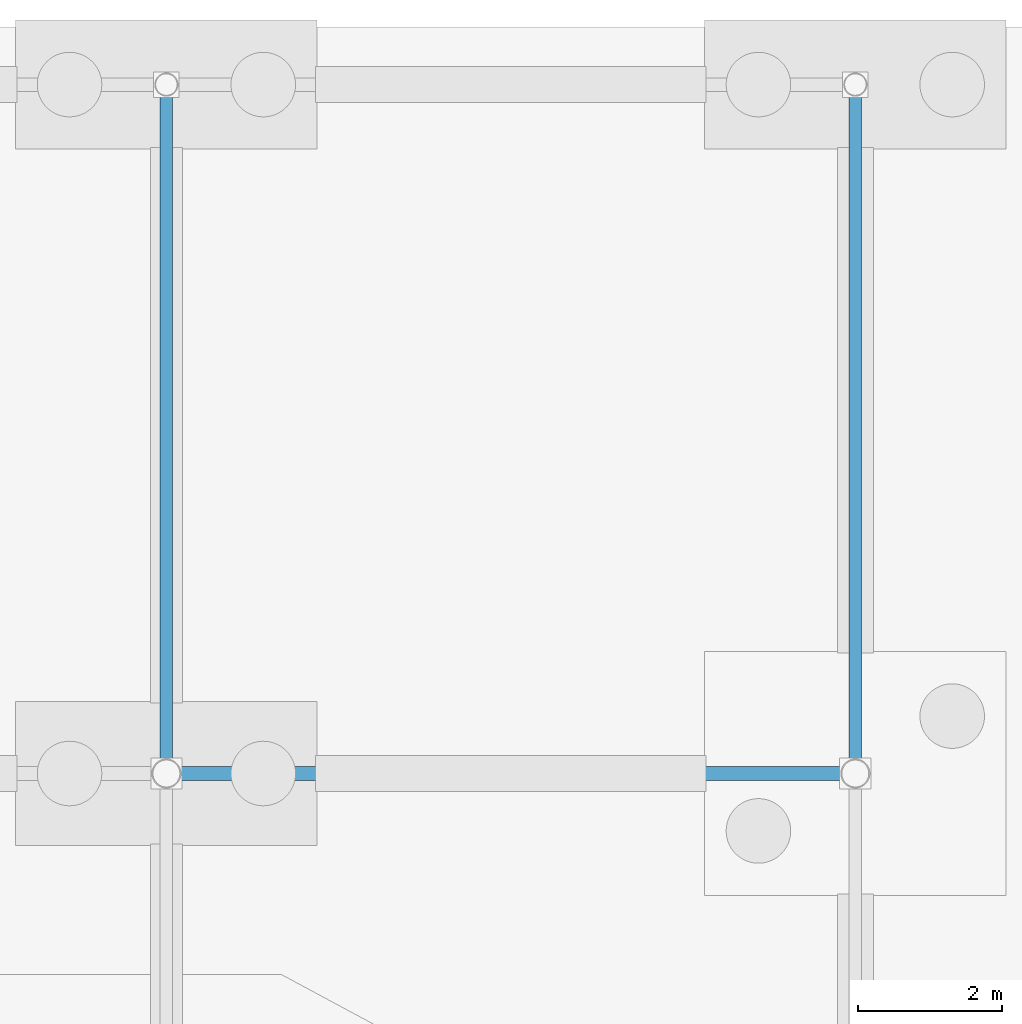
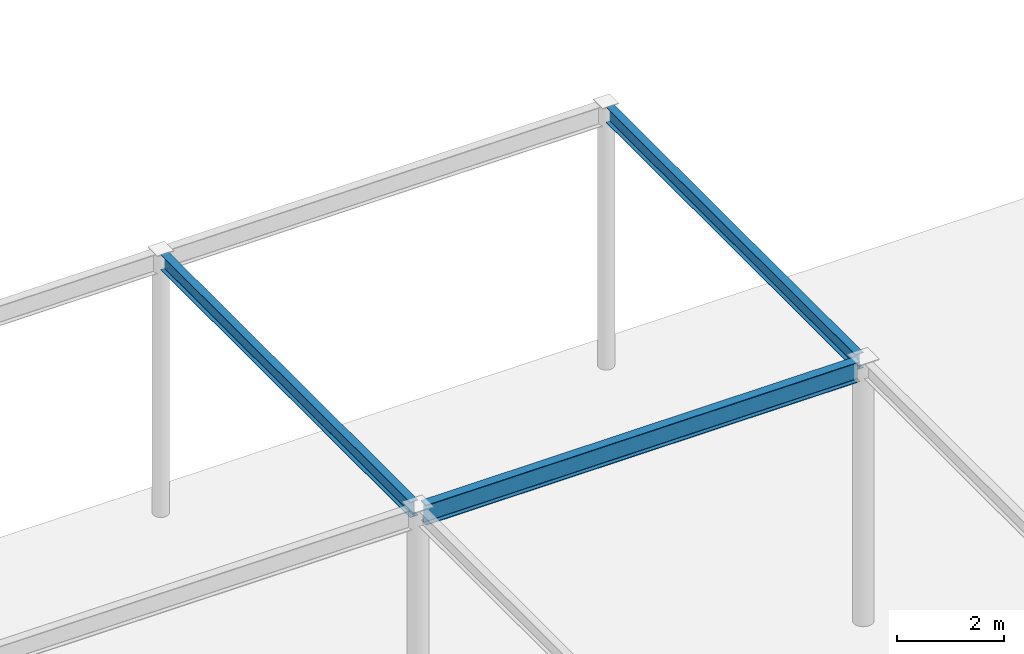
# One storey, part 101 of 142: 3 beams.
"""IFC4 building model written with IfcOpenShell, lengths in metres."""

import ifcopenshell
import ifcopenshell.guid

model = None  # the IFC model being written
_history = None  # IfcOwnerHistory: only IFC2X3 demands one
_inside = {}  # id of a spatial element -> (the spatial element, [elements in it])
_under = {}  # id of a project, library or spatial element -> (it, [spatial elements below it])
_declared = {}  # id of a project -> (the project, [libraries it declares])
_typed = {}  # id of a type object -> (the type object, [elements of that type])
_made_of = {}  # id of a material, layer set ... -> (it, [elements and type objects made of it])


def new_model(schema):
    """Start an empty IFC model of exactly this schema.

    Asked for "IFC4X3", IfcOpenShell would pick the latest addendum, in which some entities
    have other attributes; the version numbers below select the first issue.
    IFC2X3 requires an IfcOwnerHistory on every rooted entity: one is made here for all.
    """
    global model, _history
    if schema == "IFC4X3":
        model = ifcopenshell.file(schema_version=(4, 3, 0, 0))
    else:
        model = ifcopenshell.file(schema=schema)
    _inside.clear()
    _under.clear()
    _declared.clear()
    _typed.clear()
    _made_of.clear()
    _history = None
    if model.schema == "IFC2X3":
        org = make("IfcOrganization", Name="unknown")
        user = make(
            "IfcPersonAndOrganization",
            ThePerson=make("IfcPerson", FamilyName="unknown"),
            TheOrganization=org,
        )
        app = make(
            "IfcApplication",
            ApplicationDeveloper=org,
            Version="unknown",
            ApplicationFullName="unknown",
            ApplicationIdentifier="unknown",
        )
        _history = make(
            "IfcOwnerHistory",
            OwningUser=user,
            OwningApplication=app,
            ChangeAction="ADDED",
            CreationDate=0,
        )
    return model


def make(cls, **values):
    """One entity of the class cls with the attributes given. An attribute that is None is left unset."""
    return model.create_entity(
        cls, **{name: value for name, value in values.items() if value is not None}
    )


def rooted(cls, **values):
    """An entity with a GlobalId (a new one), such as an element, a storey or a relation."""
    return make(cls, GlobalId=ifcopenshell.guid.new(), OwnerHistory=_history, **values)


def si_unit(unit_type, name, prefix=None):
    """IfcSIUnit, for example si_unit("LENGTHUNIT", "METRE", prefix="MILLI")."""
    return make("IfcSIUnit", UnitType=unit_type, Prefix=prefix, Name=name)


def assignment(units):
    """IfcUnitAssignment: the units of a project."""
    return None if units is None else make("IfcUnitAssignment", Units=units)


def point(xyz):
    """IfcCartesianPoint."""
    return None if xyz is None else make("IfcCartesianPoint", Coordinates=xyz)


def direction(xyz):
    """IfcDirection."""
    return None if xyz is None else make("IfcDirection", DirectionRatios=xyz)


def frame(location, z_axis=None, x_axis=None):
    """IfcAxis2Placement3D, a coordinate frame: its origin and axes. An axis left out is left unset."""
    return make(
        "IfcAxis2Placement3D",
        Location=point(location),
        Axis=direction(z_axis),
        RefDirection=direction(x_axis),
    )


def frame_2d(location, x_axis=None):
    """IfcAxis2Placement2D, a coordinate frame in the plane: its origin and x axis."""
    return make(
        "IfcAxis2Placement2D", Location=point(location), RefDirection=direction(x_axis)
    )


def origin():
    """The frame at (0, 0, 0) with its axes left unset."""
    return frame((0.0, 0.0, 0.0))


def origin_2d():
    """The frame at (0, 0) in the plane with its x axis left unset."""
    return frame_2d((0.0, 0.0))


def place(relative_to, where):
    """IfcLocalPlacement: puts the frame where relative to a parent placement (None: the world)."""
    return make(
        "IfcLocalPlacement", PlacementRelTo=relative_to, RelativePlacement=where
    )


def context(
    kind, dimensions, precision=None, world=None, true_north=None, identifier=None
):
    """IfcGeometricRepresentationContext, for example the 3D "Model" context."""
    return make(
        "IfcGeometricRepresentationContext",
        ContextIdentifier=identifier,
        ContextType=kind,
        CoordinateSpaceDimension=dimensions,
        Precision=precision,
        WorldCoordinateSystem=world,
        TrueNorth=true_north,
    )


def subcontext(parent, identifier, kind, view, scale=None):
    """IfcGeometricRepresentationSubContext, for example "Body" below "Model"."""
    return make(
        "IfcGeometricRepresentationSubContext",
        ContextIdentifier=identifier,
        ContextType=kind,
        ParentContext=parent,
        TargetScale=scale,
        TargetView=view,
    )


def project(units=None, contexts=None):
    """IfcProject with its units and contexts."""
    return rooted(
        "IfcProject",
        Name="project",
        RepresentationContexts=contexts,
        UnitsInContext=assignment(units),
    )


def spatial(cls, under=None, at=None, **own):
    """A site, building, storey or space (cls), placed at a placement, below another one or the project."""
    s = rooted(cls, ObjectPlacement=at, **own)
    if under is not None:
        _under.setdefault(under.id(), (under, []))[1].append(s)
    return s


def profile(cls, at=None, kind="AREA", **sizes):
    """A parametric profile (cls). Its sizes go by their IFC names, for example OverallWidth=200.0."""
    return make(cls, ProfileType=kind, Position=at, **sizes)


def i_section(**sizes):
    """IfcIShapeProfileDef."""
    return profile("IfcIShapeProfileDef", **sizes)


def extrude(swept, where, along, depth):
    """IfcExtrudedAreaSolid: the profile swept, set in the frame where, extruded along a direction by depth."""
    return make(
        "IfcExtrudedAreaSolid",
        SweptArea=swept,
        Position=where,
        ExtrudedDirection=direction(along),
        Depth=depth,
    )


def shape(context_of_items, identifier, shape_type, items):
    """IfcShapeRepresentation: the items that make up one representation, for example the "Body"."""
    return make(
        "IfcShapeRepresentation",
        ContextOfItems=context_of_items,
        RepresentationIdentifier=identifier,
        RepresentationType=shape_type,
        Items=items,
    )


def material(Name=None, Category=None):
    """IfcMaterial."""
    return make("IfcMaterial", Name=Name, Category=Category)


def material_profile(
    of_material, cross_section, Name=None, Category=None, Priority=None
):
    """IfcMaterialProfile: a cross section and its material."""
    return make(
        "IfcMaterialProfile",
        Name=Name,
        Material=of_material,
        Profile=cross_section,
        Priority=Priority,
        Category=Category,
    )


def profile_set(profiles, Name=None, composite=None):
    """IfcMaterialProfileSet."""
    return make(
        "IfcMaterialProfileSet",
        Name=Name,
        MaterialProfiles=profiles,
        CompositeProfile=composite,
    )


def made_of(thing, what):
    """Note that an element or type object is made of a material, layer set ...; save() writes the relation."""
    if what is not None:
        _made_of.setdefault(what.id(), (what, []))[1].append(thing)
    return thing


def type_object(cls, material=None, **own):
    """A type object (cls), such as IfcWallType, which elements share."""
    return made_of(rooted(cls, **own), material)


def element(
    cls,
    number,
    at=None,
    inside=None,
    cuts=None,
    type_object=None,
    material=None,
    context=None,
    identifier="Body",
    shape_type=None,
    held_by="IfcProductDefinitionShape",
    body=None,
    shapes=None,
    **own,
):
    """One element of the class cls, such as IfcWall. Its Tag is "e" and its number.

    at: its placement. inside: the storey or other place that contains it. cuts: it is an
    opening in that element (IfcRelVoidsElement). A single representation is given by context,
    identifier, shape_type and body (its items); several are given by shapes. held_by: the class
    of the entity that holds the representations. save() writes the other relations.
    """
    e = rooted(cls, Tag="e%d" % number, ObjectPlacement=at, **own)
    if body is not None:
        shapes = [shape(context, identifier, shape_type, body)]
    if shapes is not None:
        e.Representation = make(held_by, Representations=shapes)
    if inside is not None:
        _inside.setdefault(inside.id(), (inside, []))[1].append(e)
    if cuts is not None:
        rooted(
            "IfcRelVoidsElement", RelatingBuildingElement=cuts, RelatedOpeningElement=e
        )
    if type_object is not None:
        _typed.setdefault(type_object.id(), (type_object, []))[1].append(e)
    return made_of(e, material)


def aggregate(whole, parts):
    """IfcRelAggregates: a whole, such as a stair, and the parts it consists of."""
    return rooted("IfcRelAggregates", RelatingObject=whole, RelatedObjects=parts)


def save(model, path):
    """Write the relations noted so far, then the file.

    IfcRelAggregates (storeys below a building ...), IfcRelContainedInSpatialStructure (elements
    in a storey), IfcRelDefinesByType, IfcRelAssociatesMaterial and IfcRelDeclares: one each for
    every whole, place, type object, material and project.
    """
    for whole, parts in _under.values():
        aggregate(whole, parts)
    for where, things in _inside.values():
        rooted(
            "IfcRelContainedInSpatialStructure",
            RelatedElements=things,
            RelatingStructure=where,
        )
    for kind, things in _typed.values():
        rooted("IfcRelDefinesByType", RelatedObjects=things, RelatingType=kind)
    for what, things in _made_of.values():
        rooted("IfcRelAssociatesMaterial", RelatedObjects=things, RelatingMaterial=what)
    for by, libraries in _declared.values():
        rooted("IfcRelDeclares", RelatingContext=by, RelatedDefinitions=libraries)
    model.write(path)


model = new_model("IFC4")

# Units and contexts
model_context = context("Model", 3, precision=1e-05, world=origin(), true_north=direction((0.0, 1.0)))
body_context = subcontext(model_context, "Body", "Model", "MODEL_VIEW")
ifc_project = project(units=[si_unit("LENGTHUNIT", "METRE"), si_unit("AREAUNIT", "SQUARE_METRE"), si_unit("VOLUMEUNIT", "CUBIC_METRE"), si_unit("PLANEANGLEUNIT", "RADIAN"), si_unit("MASSUNIT", "GRAM", prefix="KILO")], contexts=[model_context])

# Site, building, storey
site_placement = place(None, origin())
site = spatial("IfcSite", under=ifc_project, at=site_placement, CompositionType="ELEMENT")
building_placement = place(site_placement, origin())
building = spatial("IfcBuilding", under=site, at=building_placement, Name="Coralgate Yard Interchange", CompositionType="ELEMENT")
storey_placement = place(building_placement, origin())
storey = spatial("IfcBuildingStorey", under=building, at=storey_placement, Name="L00", CompositionType="ELEMENT", Elevation=0.0)

# Beams
ifc_material = material(Name="Structural steel S355J2", Category="steel")
ifc_material_profile_1 = material_profile(ifc_material, i_section(OverallWidth=0.1904296875, OverallDepth=0.45703125, WebThickness=0.009033203125, FlangeThickness=0.014404296875, FilletRadius=0.01025390625, at=origin_2d()), Name="UB 457x191x74")
ifc_profile_set_1 = profile_set([ifc_material_profile_1], Name="Structural steel S355J2")
beam_type_1 = type_object("IfcBeamType", Name="BM-SB-2", PredefinedType="BEAM", material=ifc_profile_set_1)
beam_placement = place(storey_placement, frame((163.320068359375, 105.60009765625, 5.771484375), z_axis=(1.0, 0.0, 0.0), x_axis=(0.0, 1.0, 0.0)))
element("IfcBeam", 1, at=beam_placement, inside=storey, type_object=beam_type_1, Name="Wave-canopy valley support girder Y11-X17", PredefinedType="BEAM", context=body_context, shape_type="SweptSolid", body=[
    extrude(i_section(OverallWidth=0.1904296875, OverallDepth=0.45703125, WebThickness=0.009033203125, FlangeThickness=0.014404296875, FilletRadius=0.01025390625, at=origin_2d()), origin(), (0.0, 0.0, 1.0), 9.35986328125),
])
ifc_material_profile_2 = material_profile(ifc_material, i_section(OverallWidth=0.17138671875, OverallDepth=0.35498046875, WebThickness=0.00732421875, FlangeThickness=0.011474609375, FilletRadius=0.01025390625, at=origin_2d()), Name="UB 356x171x51")
ifc_profile_set_2 = profile_set([ifc_material_profile_2], Name="Structural steel S355J2")
beam_type_2 = type_object("IfcBeamType", Name="BM-SB-4", PredefinedType="BEAM", material=ifc_profile_set_2)
for number, where, z_axis, x_axis, name in (
    (2, (163.199951171875, 105.739990234375, 5.822509765625), (0.0, 1.0, 0.0), (-1.0, 0.0, 0.0), "Wave-canopy transverse girder X17-Y11"),
    (3, (172.800048828125, 105.739990234375, 5.822509765625), (0.0, 1.0, 0.0), (-1.0, 0.0, 0.0), "Wave-canopy transverse girder X18-Y11"),
):
    element("IfcBeam", number, at=place(storey_placement, frame(where, z_axis=z_axis, x_axis=x_axis)), inside=storey, type_object=beam_type_2, Name=name, PredefinedType="BEAM", context=body_context, shape_type="SweptSolid", body=[
        extrude(i_section(OverallWidth=0.17138671875, OverallDepth=0.35498046875, WebThickness=0.00732421875, FlangeThickness=0.011474609375, FilletRadius=0.01025390625, at=origin_2d()), origin(), (0.0, 0.0, 1.0), 9.320068359375),
    ])

save(model, "model.ifc")
